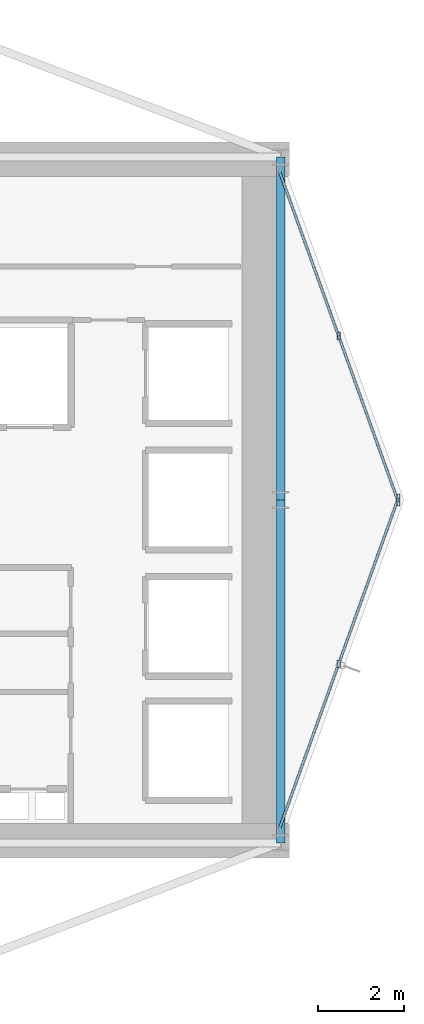
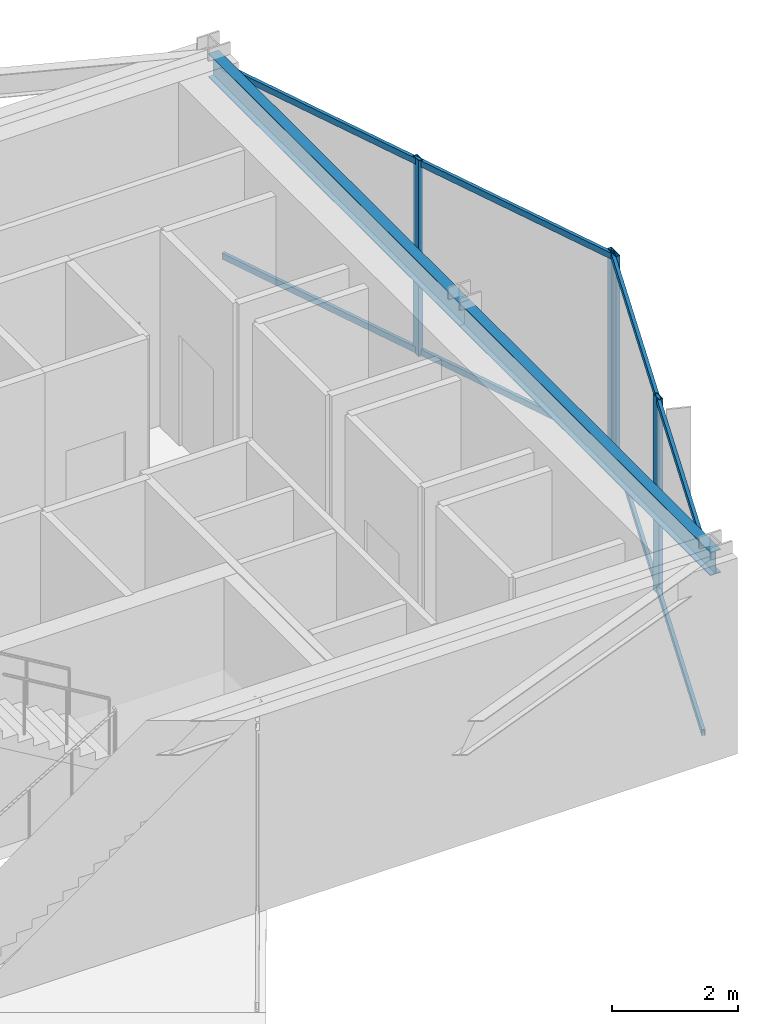
# One storey, part 14 of 25: 8 members, 2 beams, 2 elements without a shape of their own.
"""IFC4 building model written with IfcOpenShell, lengths in metres."""

from ifc_helpers import new_model, si_unit, direction, frame, origin, origin_2d, place, context, subcontext, project, spatial, hollow_rectangle, i_section, extrude, material, layer, layer_set, material_profile, profile_set, type_object, element, aggregate, save


model = new_model("IFC4")

# Units and contexts
model_context = context("Model", 3, precision=1e-05, world=origin(), true_north=direction((0.0, 1.0)))
body_context = subcontext(model_context, "Body", "Model", "MODEL_VIEW")
ifc_project = project(units=[si_unit("LENGTHUNIT", "METRE"), si_unit("AREAUNIT", "SQUARE_METRE"), si_unit("VOLUMEUNIT", "CUBIC_METRE"), si_unit("PLANEANGLEUNIT", "RADIAN"), si_unit("MASSUNIT", "GRAM", prefix="KILO")], contexts=[model_context])

# Site, building, storey
site_placement = place(None, origin())
site = spatial("IfcSite", under=ifc_project, at=site_placement, CompositionType="ELEMENT")
building_placement = place(site_placement, origin())
building = spatial("IfcBuilding", under=site, at=building_placement, Name="Veymaron Broadcast Tower", CompositionType="ELEMENT")
storey_placement = place(building_placement, frame((0.0, 0.0, 169.5)))
storey = spatial("IfcBuildingStorey", under=building, at=storey_placement, Name="L39", CompositionType="ELEMENT", Elevation=169.5)

# Beams
ifc_material_1 = material(Name="Structural steel ASTM A992 Gr 50", Category="steel")
ifc_material_profile_1 = material_profile(ifc_material_1, i_section(OverallWidth=0.19091796875, OverallDepth=0.4599609375, WebThickness=0.010009765625, FlangeThickness=0.01611328125, at=origin_2d()), Name="W460X82")
ifc_profile_set_1 = profile_set([ifc_material_profile_1], Name="Structural steel ASTM A992 Gr 50")
beam_type = type_object("IfcBeamType", Name="BM-SP1", PredefinedType="SPANDREL", material=ifc_profile_set_1)
for number, where, z_axis, x_axis, name in (
    (1, (54.60009765625, 16.0, 3.580078125), (0.0, 1.0, 0.0), (-1.0, 0.0, 0.0), "L39 primary structural floor girder"),
    (2, (54.60009765625, 24.0, 3.580078125), (0.0, 1.0, 0.0), (-1.0, 0.0, 0.0), "L39 primary structural floor girder"),
):
    element("IfcBeam", number, at=place(storey_placement, frame(where, z_axis=z_axis, x_axis=x_axis)), inside=storey, type_object=beam_type, Name=name, PredefinedType="SPANDREL", context=body_context, shape_type="SweptSolid", body=[
        extrude(i_section(OverallWidth=0.19091796875, OverallDepth=0.4599609375, WebThickness=0.010009765625, FlangeThickness=0.01611328125, at=origin_2d()), origin(), (0.0, 0.0, 1.0), 8.0),
    ])

# Curtain wall, members
ifc_material_2 = material(Name="Anodised aluminium AA 6063-T6 and laminated low-E dark glass", Category="aluminium")
ifc_layer = layer(ifc_material_2, 0.179931640625)
ifc_layer_set = layer_set([ifc_layer], Name="Anodised aluminium AA 6063-T6 and laminated low-E dark glass")
curtain_wall_type = type_object("IfcCurtainWallType", Name="CW-SYS-03", PredefinedType="NOTDEFINED", material=ifc_layer_set)
curtain_wall_1_placement = place(storey_placement, origin())
curtain_wall_1 = element("IfcCurtainWall", 3, at=curtain_wall_1_placement, inside=storey, type_object=curtain_wall_type, Name="L39 dark-glass curtain wall CW-L39-E2-1", PredefinedType="NOTDEFINED")
ifc_material_3 = material(Name="Anodised aluminium AA 6063-T6", Category="aluminium")
ifc_material_profile_2 = material_profile(ifc_material_3, hollow_rectangle(XDim=0.074951171875, YDim=0.179931640625, WallThickness=0.0048828125, at=origin_2d()), Name="AL180X75X5")
ifc_profile_set_2 = profile_set([ifc_material_profile_2], Name="Anodised aluminium AA 6063-T6")
member_type_1 = type_object("IfcMemberType", Name="CW-MUL-02", PredefinedType="MULLION", material=ifc_profile_set_2)
member_1_placement = place(storey_placement, frame((55.951904296875, 20.173095703125, 0.0), z_axis=(0.0, 0.0, 1.0), x_axis=(1.0, 0.0, 0.0)))
member_1 = element("IfcMember", 4, at=member_1_placement, type_object=member_type_1, Name="CW-L39-E2-1 mullion 1", PredefinedType="MULLION", context=body_context, shape_type="SweptSolid", body=[
    extrude(hollow_rectangle(XDim=0.074951171875, YDim=0.179931640625, WallThickness=0.0048828125, at=origin_2d()), origin(), (0.0, 0.0, 1.0), 3.81005859375),
])
member_2_placement = place(storey_placement, frame((57.34521484375, 24.04736328125, 0.0), z_axis=(0.0, 0.0, 1.0), x_axis=(1.0, 0.0, 0.0)))
member_2 = element("IfcMember", 5, at=member_2_placement, type_object=member_type_1, Name="CW-L39-E2-1 mullion 2", PredefinedType="MULLION", context=body_context, shape_type="SweptSolid", body=[
    extrude(hollow_rectangle(XDim=0.074951171875, YDim=0.179931640625, WallThickness=0.0048828125, at=origin_2d()), origin(), (0.0, 0.0, 1.0), 3.81005859375),
])

curtain_wall_2_placement = place(storey_placement, origin())
curtain_wall_2 = element("IfcCurtainWall", 6, at=curtain_wall_2_placement, inside=storey, type_object=curtain_wall_type, Name="L39 dark-glass curtain wall CW-L39-E3-1", PredefinedType="NOTDEFINED")
member_3_placement = place(storey_placement, frame((57.34521484375, 23.95263671875, 0.0), z_axis=(0.0, 0.0, 1.0), x_axis=(1.0, 0.0, 0.0)))
member_3 = element("IfcMember", 7, at=member_3_placement, type_object=member_type_1, Name="CW-L39-E3-1 mullion 0", PredefinedType="MULLION", context=body_context, shape_type="SweptSolid", body=[
    extrude(hollow_rectangle(XDim=0.074951171875, YDim=0.179931640625, WallThickness=0.0048828125, at=origin_2d()), origin(), (0.0, 0.0, 1.0), 3.81005859375),
])
member_4_placement = place(storey_placement, frame((55.951904296875, 27.826904296875, 0.0), z_axis=(0.0, 0.0, 1.0), x_axis=(1.0, 0.0, 0.0)))
member_4 = element("IfcMember", 8, at=member_4_placement, type_object=member_type_1, Name="CW-L39-E3-1 mullion 1", PredefinedType="MULLION", context=body_context, shape_type="SweptSolid", body=[
    extrude(hollow_rectangle(XDim=0.074951171875, YDim=0.179931640625, WallThickness=0.0048828125, at=origin_2d()), origin(), (0.0, 0.0, 1.0), 3.81005859375),
])

# Member
ifc_material_profile_3 = material_profile(ifc_material_3, hollow_rectangle(XDim=0.06005859375, YDim=0.1201171875, WallThickness=0.00390625, at=origin_2d()), Name="AL120X60X4")
ifc_profile_set_3 = profile_set([ifc_material_profile_3], Name="Anodised aluminium AA 6063-T6")
member_type_2 = type_object("IfcMemberType", Name="CW-TRN-02", PredefinedType="USERDEFINED", material=ifc_profile_set_3)
member_5_placement = place(storey_placement, frame((54.57568359375, 16.34619140625, 0.070068359375), z_axis=(0.338417601634, 0.940996029165, 0.0), x_axis=(-0.940996029165, 0.338417601634, 0.0)))
member_5 = element("IfcMember", 9, at=member_5_placement, type_object=member_type_2, Name="CW-L39-E2-1 transom B", ObjectType="TRANSOM", PredefinedType="USERDEFINED", context=body_context, shape_type="SweptSolid", body=[
    extrude(hollow_rectangle(XDim=0.06005859375, YDim=0.1201171875, WallThickness=0.00390625, at=origin_2d()), origin(), (0.0, 0.0, 1.0), 8.134033203125),
])

member_6_placement = place(storey_placement, frame((54.57568359375, 16.34619140625, 3.739990234375), z_axis=(0.338417601634, 0.940996029165, 0.0), x_axis=(-0.940996029165, 0.338417601634, 0.0)))
member_6 = element("IfcMember", 10, at=member_6_placement, type_object=member_type_2, Name="CW-L39-E2-1 transom T", ObjectType="TRANSOM", PredefinedType="USERDEFINED", context=body_context, shape_type="SweptSolid", body=[
    extrude(hollow_rectangle(XDim=0.06005859375, YDim=0.1201171875, WallThickness=0.00390625, at=origin_2d()), origin(), (0.0, 0.0, 1.0), 8.134033203125),
])

aggregate(curtain_wall_1, [member_1, member_2, member_5, member_6])

member_7_placement = place(storey_placement, frame((57.328369140625, 23.999755859375, 0.070068359375), z_axis=(-0.338417601634, 0.940996029165, 0.0), x_axis=(-0.940996029165, -0.338417601634, 0.0)))
member_7 = element("IfcMember", 11, at=member_7_placement, type_object=member_type_2, Name="CW-L39-E3-1 transom B", ObjectType="TRANSOM", PredefinedType="USERDEFINED", context=body_context, shape_type="SweptSolid", body=[
    extrude(hollow_rectangle(XDim=0.06005859375, YDim=0.1201171875, WallThickness=0.00390625, at=origin_2d()), origin(), (0.0, 0.0, 1.0), 8.134033203125),
])

member_8_placement = place(storey_placement, frame((57.328369140625, 23.999755859375, 3.739990234375), z_axis=(-0.338417601634, 0.940996029165, 0.0), x_axis=(-0.940996029165, -0.338417601634, 0.0)))
member_8 = element("IfcMember", 12, at=member_8_placement, type_object=member_type_2, Name="CW-L39-E3-1 transom T", ObjectType="TRANSOM", PredefinedType="USERDEFINED", context=body_context, shape_type="SweptSolid", body=[
    extrude(hollow_rectangle(XDim=0.06005859375, YDim=0.1201171875, WallThickness=0.00390625, at=origin_2d()), origin(), (0.0, 0.0, 1.0), 8.134033203125),
])

aggregate(curtain_wall_2, [member_3, member_4, member_7, member_8])

save(model, "model.ifc")
